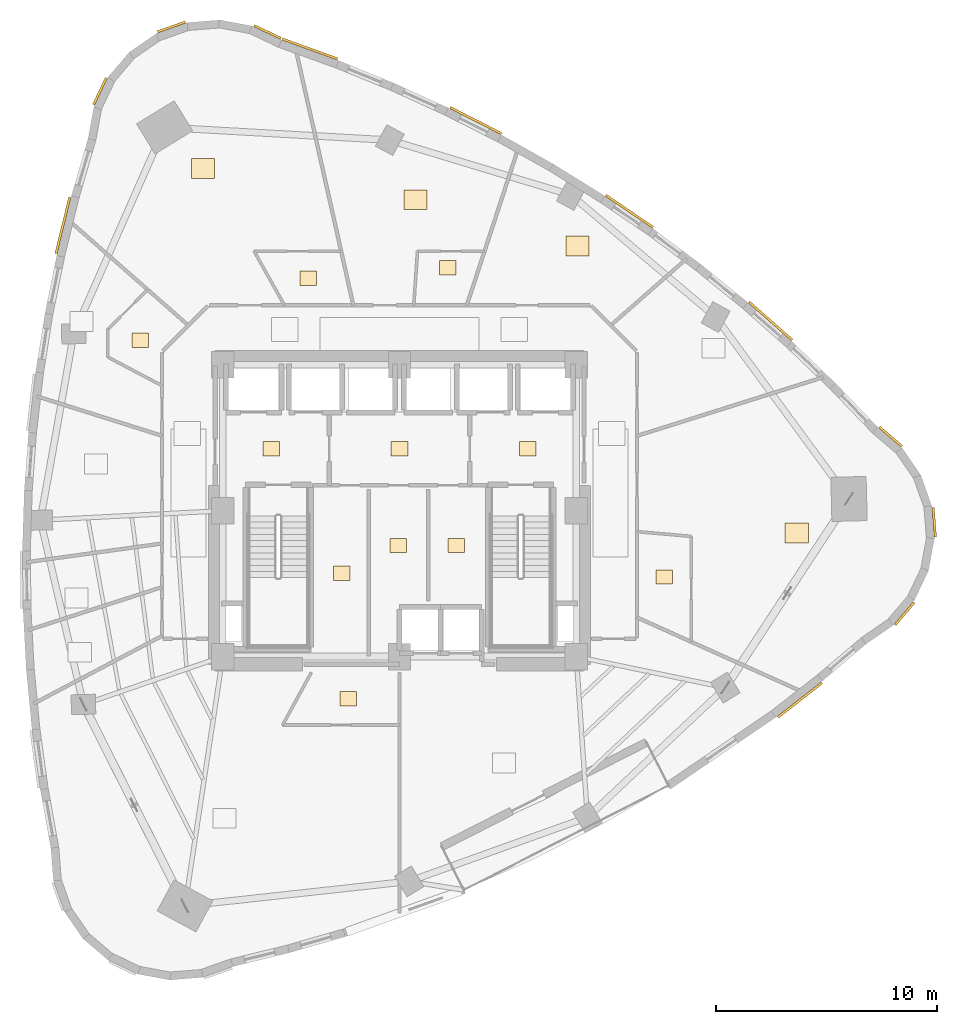
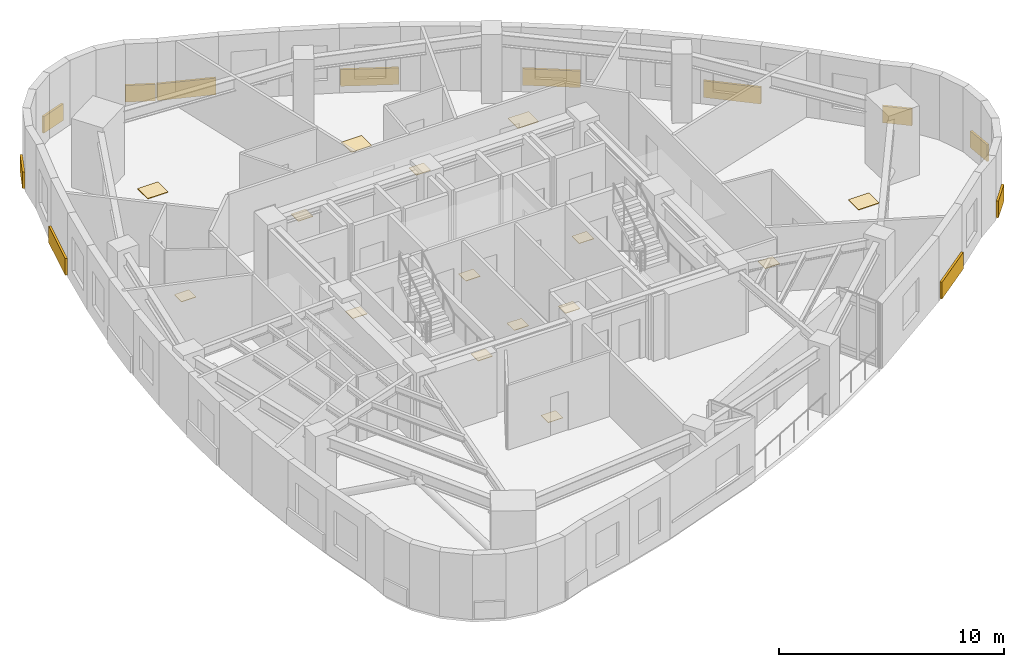
# One storey, part 12 of 12: 27 coverings.
"""IFC4 building model written with IfcOpenShell, lengths in metres."""

from ifc_helpers import new_model, si_unit, direction, frame, origin, origin_2d, place, context, subcontext, project, spatial, rectangle, extrude, material, layer, layer_set, type_object, element, save


model = new_model("IFC4")

# Units and contexts
model_context = context("Model", 3, precision=1e-05, world=origin(), true_north=direction((0.0, 1.0)))
body_context = subcontext(model_context, "Body", "Model", "MODEL_VIEW")
ifc_project = project(units=[si_unit("LENGTHUNIT", "METRE"), si_unit("AREAUNIT", "SQUARE_METRE"), si_unit("VOLUMEUNIT", "CUBIC_METRE"), si_unit("PLANEANGLEUNIT", "RADIAN"), si_unit("MASSUNIT", "GRAM", prefix="KILO")], contexts=[model_context])

# Site, building, storey
site_placement = place(None, origin())
site = spatial("IfcSite", under=ifc_project, at=site_placement, CompositionType="ELEMENT")
building_placement = place(site_placement, origin())
building = spatial("IfcBuilding", under=site, at=building_placement, Name="Ndelora Gate Hotel", CompositionType="ELEMENT")
storey_placement = place(building_placement, frame((0.0, 0.0, 112.25)))
storey = spatial("IfcBuildingStorey", under=building, at=storey_placement, Name="L27", CompositionType="ELEMENT", Elevation=112.25)

# Coverings
ifc_material_1 = material(Name="Terracotta Fired Clay Brick Slip Cladding", Category="masonry")
ifc_layer_1 = layer(ifc_material_1, 0.110107421875)
ifc_layer_set_1 = layer_set([ifc_layer_1], Name="Terracotta Fired Clay Brick Slip Cladding")
covering_type_1 = type_object("IfcCoveringType", Name="COV-CLAD-BRK", PredefinedType="CLADDING", material=ifc_layer_set_1)
for number, where, z_axis, x_axis, name in (
    (1, (-5.97802734375, 21.669921875, 0.10009765625), (0.0, 0.0, 1.0), (-0.90258528435, 0.430511096808, 0.0), "L27 Rounded-Corner Brick Cladding Band 1"),
    (2, (-10.32421875, 21.897705078125, 0.10009765625), (0.0, 0.0, 1.0), (0.942641491092, 0.333806859234, 0.0), "L27 Rounded-Corner Brick Cladding Band 4"),
    (3, (-13.558837890625, 18.9853515625, 0.10009765625), (0.0, 0.0, 1.0), (0.430511096808, 0.90258528435, 0.0), "L27 Rounded-Corner Brick Cladding Band 7"),
):
    element("IfcCovering", number, at=place(storey_placement, frame(where, z_axis=z_axis, x_axis=x_axis)), inside=storey, type_object=covering_type_1, Name=name, PredefinedType="CLADDING", context=body_context, shape_type="SweptSolid", body=[
        extrude(rectangle(XDim=1.3359375, YDim=0.110107421875, at=origin_2d()), origin(), (0.0, 0.0, 1.0), 0.89990234375),
    ])
covering_1_placement = place(storey_placement, frame((-15.237060546875, 12.914306640625, 0.10009765625), z_axis=(0.0, 0.0, 1.0), x_axis=(0.239041909578, 0.971009250968, 0.0)))
element("IfcCovering", 4, at=covering_1_placement, inside=storey, type_object=covering_type_1, Name="L27 Rounded-Corner Brick Cladding Band 10", PredefinedType="CLADDING", context=body_context, shape_type="SweptSolid", body=[
    extrude(rectangle(XDim=2.626953125, YDim=0.110107421875, at=origin_2d()), origin(), (0.0, 0.0, 1.0), 0.89990234375),
])
covering_2_placement = place(storey_placement, frame((18.12548828125, -8.567138671875, 0.10009765625), z_axis=(0.0, 0.0, 1.0), x_axis=(0.788333005168, 0.615248789485, 0.0)))
element("IfcCovering", 5, at=covering_2_placement, inside=storey, type_object=covering_type_1, Name="L27 Rounded-Corner Brick Cladding Band 37", PredefinedType="CLADDING", context=body_context, shape_type="SweptSolid", body=[
    extrude(rectangle(XDim=2.52001953125, YDim=0.110107421875, at=origin_2d()), origin(), (0.0, 0.0, 1.0), 0.89990234375),
])
for number, where, z_axis, x_axis, name in (
    (6, (22.85888671875, -4.664306640625, 0.10009765625), (0.0, 0.0, 1.0), (0.64944804833, 0.7604059656, 0.0), "L27 Rounded-Corner Brick Cladding Band 40"),
    (7, (24.203857421875, -0.525390625, 0.10009765625), (0.0, 0.0, 1.0), (-0.078459095728, 0.996917333733, 0.0), "L27 Rounded-Corner Brick Cladding Band 43"),
    (8, (22.227783203125, 3.352783203125, 0.10009765625), (0.0, 0.0, 1.0), (-0.7604059656, 0.64944804833, 0.0), "L27 Rounded-Corner Brick Cladding Band 46"),
):
    element("IfcCovering", number, at=place(storey_placement, frame(where, z_axis=z_axis, x_axis=x_axis)), inside=storey, type_object=covering_type_1, Name=name, PredefinedType="CLADDING", context=body_context, shape_type="SweptSolid", body=[
        extrude(rectangle(XDim=1.3359375, YDim=0.110107421875, at=origin_2d()), origin(), (0.0, 0.0, 1.0), 0.89990234375),
    ])
covering_3_placement = place(storey_placement, frame((16.797119140625, 8.586181640625, 0.10009765625), z_axis=(0.0, 0.0, 1.0), x_axis=(-0.749418134297, 0.662097017051, 0.0)))
element("IfcCovering", 9, at=covering_3_placement, inside=storey, type_object=covering_type_1, Name="L27 Rounded-Corner Brick Cladding Band 49", PredefinedType="CLADDING", context=body_context, shape_type="SweptSolid", body=[
    extrude(rectangle(XDim=2.60791015625, YDim=0.110107421875, at=origin_2d()), origin(), (0.0, 0.0, 1.0), 0.89990234375),
])
covering_4_placement = place(storey_placement, frame((10.405517578125, 13.5546875, 0.10009765625), z_axis=(0.0, 0.0, 1.0), x_axis=(-0.826884319778, 0.562372049186, 0.0)))
element("IfcCovering", 10, at=covering_4_placement, inside=storey, type_object=covering_type_1, Name="L27 Rounded-Corner Brick Cladding Band 52", PredefinedType="CLADDING", context=body_context, shape_type="SweptSolid", body=[
    extrude(rectangle(XDim=2.580078125, YDim=0.110107421875, at=origin_2d()), origin(), (0.0, 0.0, 1.0), 0.89990234375),
])
covering_5_placement = place(storey_placement, frame((3.45361328125, 17.660400390625, 0.10009765625), z_axis=(0.0, 0.0, 1.0), x_axis=(-0.891560513111, 0.452901591366, 0.0)))
element("IfcCovering", 11, at=covering_5_placement, inside=storey, type_object=covering_type_1, Name="L27 Rounded-Corner Brick Cladding Band 55", PredefinedType="CLADDING", context=body_context, shape_type="SweptSolid", body=[
    extrude(rectangle(XDim=2.593994140625, YDim=0.110107421875, at=origin_2d()), origin(), (0.0, 0.0, 1.0), 0.89990234375),
])
covering_6_placement = place(storey_placement, frame((-4.0576171875, 20.90283203125, 0.10009765625), z_axis=(0.0, 0.0, 1.0), x_axis=(-0.940644056006, 0.339394696335, 0.0)))
element("IfcCovering", 12, at=covering_6_placement, inside=storey, type_object=covering_type_1, Name="L27 Rounded-Corner Brick Cladding Band 58", PredefinedType="CLADDING", context=body_context, shape_type="SweptSolid", body=[
    extrude(rectangle(XDim=2.65087890625, YDim=0.110107421875, at=origin_2d()), origin(), (0.0, 0.0, 1.0), 0.89990234375),
])
ifc_material_2 = material(Name="Engineered Highland Oak Parquet", Category="wood")
ifc_layer_2 = layer(ifc_material_2, 0.030029296875)
ifc_layer_set_2 = layer_set([ifc_layer_2], Name="Engineered Highland Oak Parquet")
covering_type_2 = type_object("IfcCoveringType", Name="COV-FLR-PARQ", PredefinedType="FLOORING", material=ifc_layer_set_2)
for number, where, z_axis, x_axis, name in (
    (13, (17.982421875, -1.013427734375, 0.0), (0.0, 0.0, 1.0), (1.0, 0.0, 0.0), "L27 Club King Junior Suite 3002 Oak Parquet Flooring"),
    (14, (8.057861328125, 11.989990234375, 0.0), (0.0, 0.0, 1.0), (1.0, 0.0, 0.0), "L27 Diplomatic Meeting Room Oak Parquet Flooring"),
    (15, (0.72216796875, 14.077392578125, 0.0), (0.0, 0.0, 1.0), (1.0, 0.0, 0.0), "L27 Panoramic South Diplomatic Suite 3003 Oak Parquet Flooring"),
    (16, (-8.894287109375, 15.4931640625, 0.0), (0.0, 0.0, 1.0), (1.0, 0.0, 0.0), "L27 Corner Club Suite 3004 Oak Parquet Flooring"),
):
    element("IfcCovering", number, at=place(storey_placement, frame(where, z_axis=z_axis, x_axis=x_axis)), inside=storey, type_object=covering_type_2, Name=name, PredefinedType="FLOORING", context=body_context, shape_type="SweptSolid", body=[
        extrude(rectangle(XDim=1.050048828125, YDim=0.89990234375, at=origin_2d()), origin(), (0.0, 0.0, 1.0), 0.030029296875),
    ])
ifc_material_3 = material(Name="Non-Slip Porcelain Wet-Room Tile", Category="ceramic")
ifc_layer_3 = layer(ifc_material_3, 0.02490234375)
ifc_layer_set_3 = layer_set([ifc_layer_3], Name="Non-Slip Porcelain Wet-Room Tile")
covering_type_3 = type_object("IfcCoveringType", Name="COV-FLR-TILE", PredefinedType="FLOORING", material=ifc_layer_set_3)
for number, where, z_axis, x_axis, name in (
    (17, (-5.800048828125, 2.800048828125, 0.0), (0.0, 0.0, 1.0), (1.0, 0.0, 0.0), "L27 Firefighting Lift Lobby West Porcelain Tile Flooring"),
    (18, (5.800048828125, 2.800048828125, 0.0), (0.0, 0.0, 1.0), (1.0, 0.0, 0.0), "L27 Firefighting Lift Lobby East Porcelain Tile Flooring"),
    (19, (0.0, 2.800048828125, 0.0), (0.0, 0.0, 1.0), (1.0, 0.0, 0.0), "L27 Central Passenger Lift Lobby Porcelain Tile Flooring"),
    (20, (-2.625, -2.824951171875, 0.0), (0.0, 0.0, 1.0), (1.0, 0.0, 0.0), "L27 Core Cleaners Store Porcelain Tile Flooring"),
    (21, (-0.050048828125, -1.574951171875, 0.0), (0.0, 0.0, 1.0), (1.0, 0.0, 0.0), "L27 Core Telecoms Equipment Room Porcelain Tile Flooring"),
    (22, (2.574951171875, -1.574951171875, 0.0), (0.0, 0.0, 1.0), (1.0, 0.0, 0.0), "L27 Core Electrical Metering Room Porcelain Tile Flooring"),
    (23, (-2.318359375, -8.510009765625, 0.0), (0.0, 0.0, 1.0), (1.0, 0.0, 0.0), "L27 En-suite Bathroom 3001 Porcelain Tile Flooring"),
    (24, (11.97509765625, -3.001220703125, 0.0), (0.0, 0.0, 1.0), (1.0, 0.0, 0.0), "L27 En-suite Bathroom 3002 Porcelain Tile Flooring"),
    (25, (2.181884765625, 11.000732421875, 0.0), (0.0, 0.0, 1.0), (1.0, 0.0, 0.0), "L27 En-suite Bathroom 3003 Porcelain Tile Flooring"),
    (26, (-4.12939453125, 10.52490234375, 0.0), (0.0, 0.0, 1.0), (1.0, 0.0, 0.0), "L27 En-suite Bathroom 3004 Porcelain Tile Flooring"),
    (27, (-11.7265625, 7.71337890625, 0.0), (0.0, 0.0, 1.0), (1.0, 0.0, 0.0), "L27 En-suite Bathroom 3005 Porcelain Tile Flooring"),
):
    element("IfcCovering", number, at=place(storey_placement, frame(where, z_axis=z_axis, x_axis=x_axis)), inside=storey, type_object=covering_type_3, Name=name, PredefinedType="FLOORING", context=body_context, shape_type="SweptSolid", body=[
        extrude(rectangle(XDim=0.75, YDim=0.64990234375, at=origin_2d()), origin(), (0.0, 0.0, 1.0), 0.02490234375),
    ])

save(model, "model.ifc")
